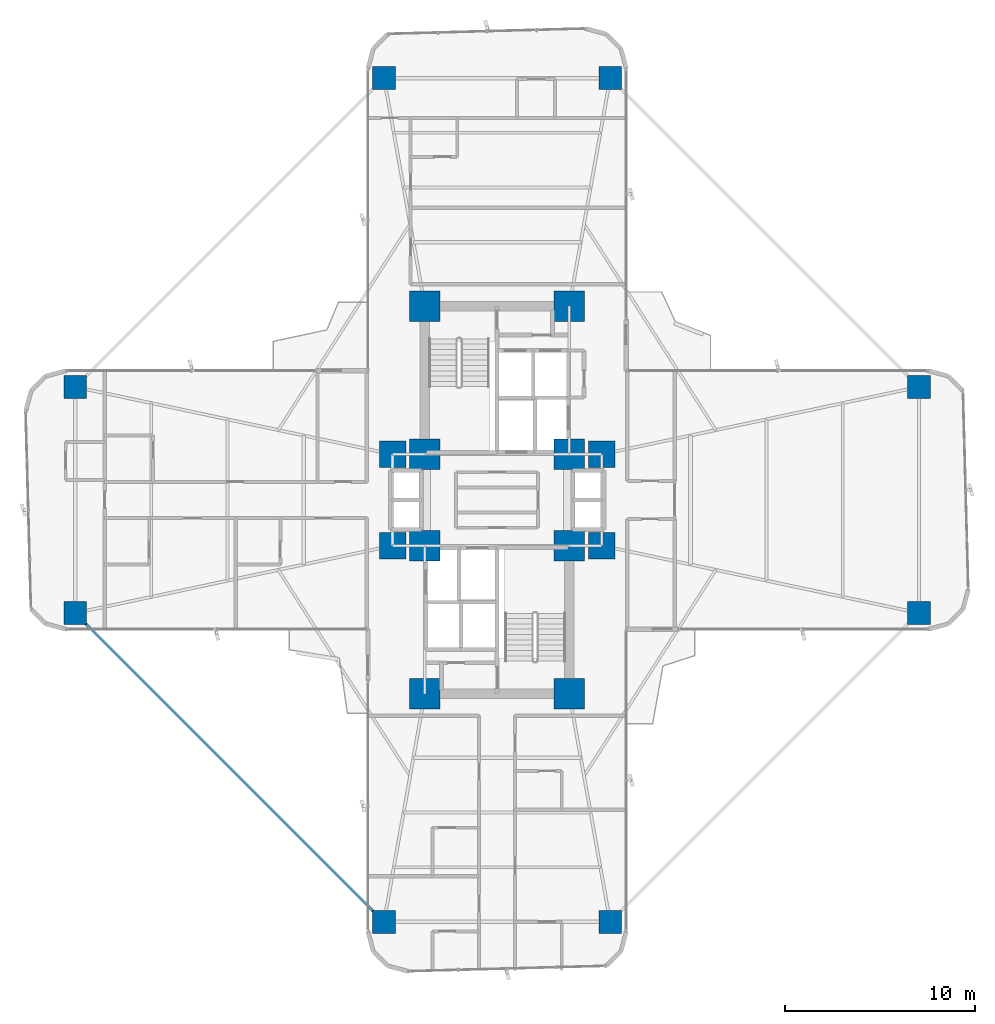
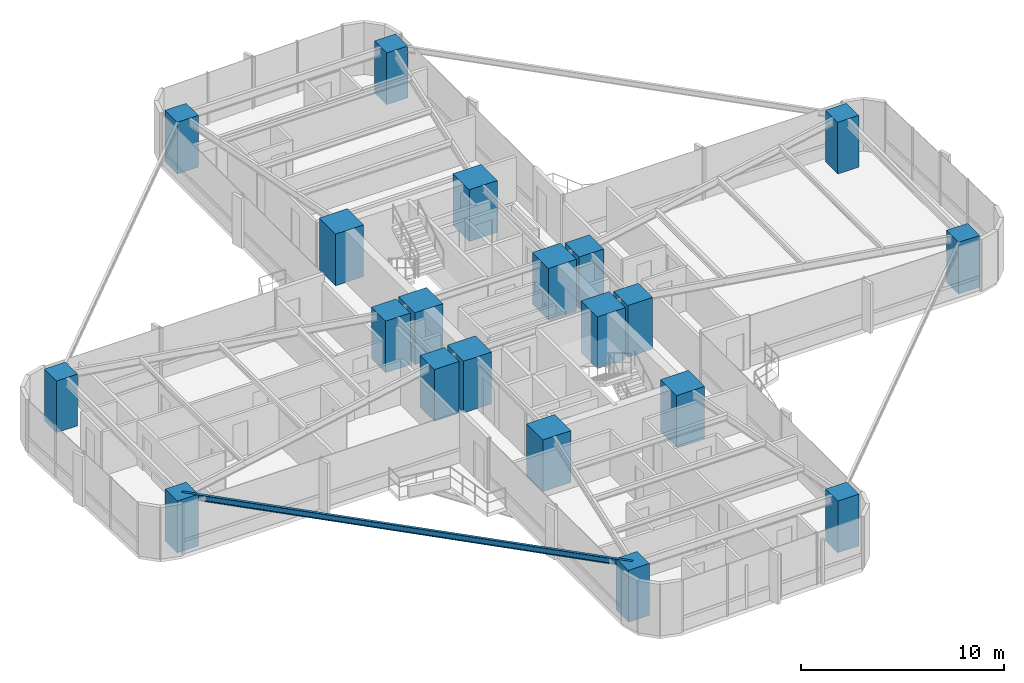
# One storey, part 1 of 25: 20 columns, 1 beam.
"""IFC4 building model written with IfcOpenShell, lengths in metres."""

from ifc_helpers import new_model, si_unit, direction, frame, origin, origin_2d, place, context, subcontext, project, spatial, rectangle, i_section, extrude, source, transform, mapped, material, material_profile, profile_set, type_object, element, save


model = new_model("IFC4")

# Units and contexts
model_context = context("Model", 3, precision=1e-05, world=origin(), true_north=direction((0.0, 1.0)))
body_context = subcontext(model_context, "Body", "Model", "MODEL_VIEW")
ifc_project = project(units=[si_unit("LENGTHUNIT", "METRE"), si_unit("AREAUNIT", "SQUARE_METRE"), si_unit("VOLUMEUNIT", "CUBIC_METRE"), si_unit("PLANEANGLEUNIT", "RADIAN"), si_unit("MASSUNIT", "GRAM", prefix="KILO")], contexts=[model_context])

# Site, building, storey
site_placement = place(None, origin())
site = spatial("IfcSite", under=ifc_project, at=site_placement, CompositionType="ELEMENT")
building_placement = place(site_placement, origin())
building = spatial("IfcBuilding", under=site, at=building_placement, Name="Sahyath Konkavel Grand Hotel", CompositionType="ELEMENT")
storey_placement = place(building_placement, frame((0.0, 0.0, 67.800048828125)))
storey = spatial("IfcBuildingStorey", under=building, at=storey_placement, Name="L18", CompositionType="ELEMENT", Elevation=67.800048828125)

# Columns
ifc_material_1 = material(Name="Concrete C70/85", Category="concrete")
ifc_material_profile_1 = material_profile(ifc_material_1, rectangle(XDim=1.60009765625, YDim=1.60009765625, at=origin_2d()), Name="RC 1600x1600")
ifc_profile_set_1 = profile_set([ifc_material_profile_1], Name="Concrete C70/85")
column_type_1 = type_object("IfcColumnType", Name="COL-RC1600", PredefinedType="COLUMN", material=ifc_profile_set_1)
shared_shape_1 = source(origin(), body_context, "Body", "SweptSolid", [
    extrude(rectangle(XDim=1.60009765625, YDim=1.60009765625, at=origin_2d()), origin(), (0.0, 0.0, 1.0), 3.10986328125),
])
for number, where, z_axis, x_axis, name in (
    (1, (-3.800048828125, 2.39990234375, 0.0), (0.0, 0.0, 1.0), (1.0, 0.0, 0.0), "L18 Core Boundary Column NC-SW"),
    (2, (3.800048828125, 2.39990234375, 0.0), (0.0, 0.0, 1.0), (1.0, 0.0, 0.0), "L18 Core Boundary Column NC-SE"),
    (3, (-3.800048828125, 10.199951171875, 0.0), (0.0, 0.0, 1.0), (1.0, 0.0, 0.0), "L18 Core Boundary Column NC-NW"),
    (4, (3.800048828125, 10.199951171875, 0.0), (0.0, 0.0, 1.0), (1.0, 0.0, 0.0), "L18 Core Boundary Column NC-NE"),
    (5, (-3.800048828125, -2.39990234375, 0.0), (0.0, 0.0, 1.0), (1.0, 0.0, 0.0), "L18 Core Boundary Column SC-NW"),
    (6, (3.800048828125, -2.39990234375, 0.0), (0.0, 0.0, 1.0), (1.0, 0.0, 0.0), "L18 Core Boundary Column SC-NE"),
    (7, (-3.800048828125, -10.199951171875, 0.0), (0.0, 0.0, 1.0), (1.0, 0.0, 0.0), "L18 Core Boundary Column SC-SW"),
    (8, (3.800048828125, -10.199951171875, 0.0), (0.0, 0.0, 1.0), (1.0, 0.0, 0.0), "L18 Core Boundary Column SC-SE"),
):
    element("IfcColumn", number, at=place(storey_placement, frame(where, z_axis=z_axis, x_axis=x_axis)), inside=storey, type_object=column_type_1, Name=name, PredefinedType="COLUMN", context=body_context, shape_type="MappedRepresentation", body=[
        mapped(shared_shape_1, transform((0.0, 0.0, 0.0), scale=1.0)),
    ])
ifc_material_profile_2 = material_profile(ifc_material_1, rectangle(XDim=1.39990234375, YDim=1.39990234375, at=origin_2d()), Name="RC 1400x1400")
ifc_profile_set_2 = profile_set([ifc_material_profile_2], Name="Concrete C70/85")
column_type_2 = type_object("IfcColumnType", Name="COL-RC1400", PredefinedType="COLUMN", material=ifc_profile_set_2)
shared_shape_2 = source(origin(), body_context, "Body", "SweptSolid", [
    extrude(rectangle(XDim=1.39990234375, YDim=1.39990234375, at=origin_2d()), origin(), (0.0, 0.0, 1.0), 3.10986328125),
])
for number, where, z_axis, x_axis, name in (
    (9, (5.5, 2.39990234375, 0.0), (0.0, 0.0, 1.0), (1.0, 0.0, 0.0), "L18 Central Spine Column HB-NE"),
    (10, (-5.5, 2.39990234375, 0.0), (0.0, 0.0, 1.0), (1.0, 0.0, 0.0), "L18 Central Spine Column HB-NW"),
    (11, (5.5, -2.39990234375, 0.0), (0.0, 0.0, 1.0), (1.0, 0.0, 0.0), "L18 Central Spine Column HB-SE"),
    (12, (-5.5, -2.39990234375, 0.0), (0.0, 0.0, 1.0), (1.0, 0.0, 0.0), "L18 Central Spine Column HB-SW"),
):
    element("IfcColumn", number, at=place(storey_placement, frame(where, z_axis=z_axis, x_axis=x_axis)), inside=storey, type_object=column_type_2, Name=name, PredefinedType="COLUMN", context=body_context, shape_type="MappedRepresentation", body=[
        mapped(shared_shape_2, transform((0.0, 0.0, 0.0), scale=1.0)),
    ])
ifc_material_2 = material(Name="Concrete C50/60", Category="concrete")
ifc_material_profile_3 = material_profile(ifc_material_2, rectangle(XDim=1.199951171875, YDim=1.199951171875, at=origin_2d()), Name="RC 1200x1200")
ifc_profile_set_3 = profile_set([ifc_material_profile_3], Name="Concrete C50/60")
column_type_3 = type_object("IfcColumnType", Name="COL-RC1200", PredefinedType="COLUMN", material=ifc_profile_set_3)
shared_shape_3 = source(origin(), body_context, "Body", "SweptSolid", [
    extrude(rectangle(XDim=1.199951171875, YDim=1.199951171875, at=origin_2d()), origin(), (0.0, 0.0, 1.0), 3.10986328125),
])
for number, where, z_axis, x_axis, name in (
    (13, (22.199951171875, -5.949951171875, 0.0), (0.0, 0.0, 1.0), (1.0, 0.0, 0.0), "L18 Cruciform Wing Column WC-EA"),
    (14, (22.199951171875, 5.949951171875, 0.0), (0.0, 0.0, 1.0), (1.0, 0.0, 0.0), "L18 Cruciform Wing Column WC-EB"),
    (15, (5.949951171875, 22.199951171875, 0.0), (0.0, 0.0, 1.0), (1.0, 0.0, 0.0), "L18 Cruciform Wing Column WC-NA"),
    (16, (-5.949951171875, 22.199951171875, 0.0), (0.0, 0.0, 1.0), (1.0, 0.0, 0.0), "L18 Cruciform Wing Column WC-NB"),
    (17, (-22.199951171875, 5.949951171875, 0.0), (0.0, 0.0, 1.0), (1.0, 0.0, 0.0), "L18 Cruciform Wing Column WC-WA"),
    (18, (-22.199951171875, -5.949951171875, 0.0), (0.0, 0.0, 1.0), (1.0, 0.0, 0.0), "L18 Cruciform Wing Column WC-WB"),
    (19, (-5.949951171875, -22.199951171875, 0.0), (0.0, 0.0, 1.0), (1.0, 0.0, 0.0), "L18 Cruciform Wing Column WC-SA"),
    (20, (5.949951171875, -22.199951171875, 0.0), (0.0, 0.0, 1.0), (1.0, 0.0, 0.0), "L18 Cruciform Wing Column WC-SB"),
):
    element("IfcColumn", number, at=place(storey_placement, frame(where, z_axis=z_axis, x_axis=x_axis)), inside=storey, type_object=column_type_3, Name=name, PredefinedType="COLUMN", context=body_context, shape_type="MappedRepresentation", body=[
        mapped(shared_shape_3, transform((0.0, 0.0, 0.0), scale=1.0)),
    ])

# Beam
ifc_material_3 = material(Name="Steel E350", Category="steel")
ifc_material_profile_4 = material_profile(ifc_material_3, i_section(OverallWidth=0.139892578125, OverallDepth=0.35009765625, WebThickness=0.008056640625, FlangeThickness=0.01416015625, FilletRadius=0.013916015625, at=origin_2d()), Name="ISMB 350")
ifc_profile_set_4 = profile_set([ifc_material_profile_4], Name="Steel E350")
beam_type = type_object("IfcBeamType", Name="BM-ISMB350", PredefinedType="BEAM", material=ifc_profile_set_4)
shared_shape_4 = source(origin(), body_context, "Body", "SweptSolid", [
    extrude(i_section(OverallWidth=0.139892578125, OverallDepth=0.35009765625, WebThickness=0.008056640625, FlangeThickness=0.01416015625, FilletRadius=0.013916015625, at=origin_2d()), origin(), (0.0, 0.0, 1.0), 22.98095703125),
])
beam_placement = place(storey_placement, frame((-22.199951171875, -5.949951171875, 2.93505859375), z_axis=(0.707106781187, -0.707106781187, 0.0), x_axis=(0.707106781187, 0.707106781187, 0.0)))
element("IfcBeam", 21, at=beam_placement, inside=storey, type_object=beam_type, Name="L18 Re-Entrant Tie Beam SW", PredefinedType="BEAM", context=body_context, shape_type="MappedRepresentation", body=[
    mapped(shared_shape_4, transform((0.0, 0.0, 0.0), scale=1.0)),
])

save(model, "model.ifc")
